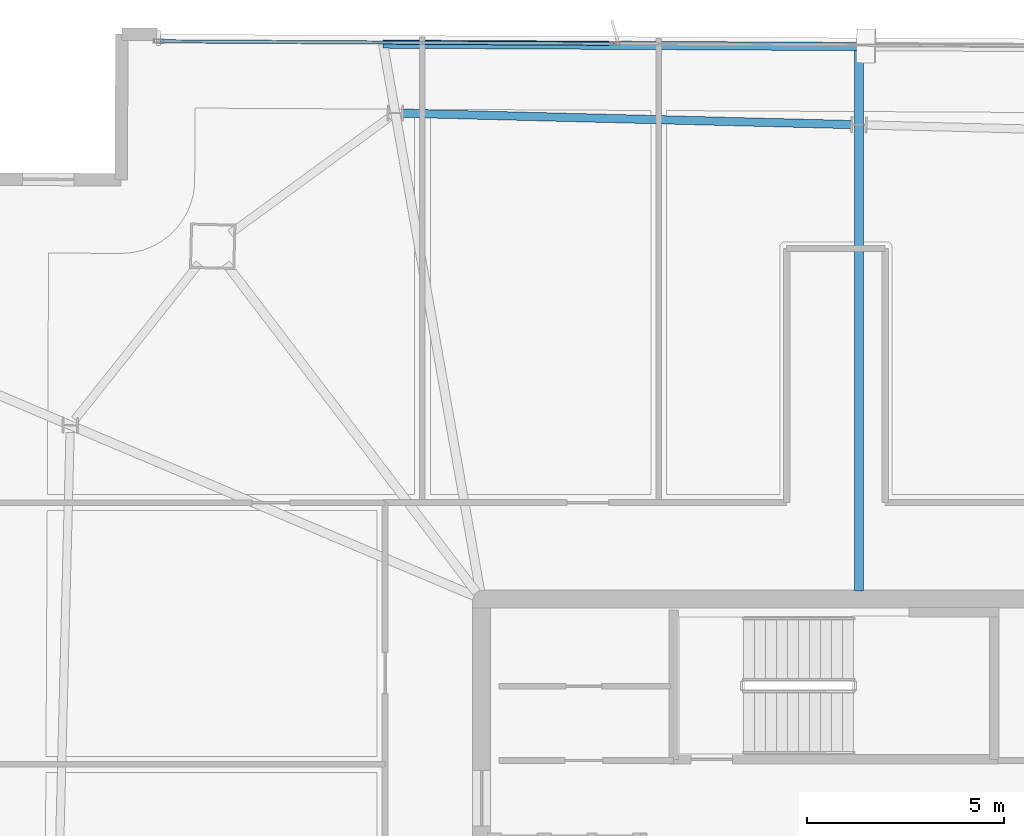
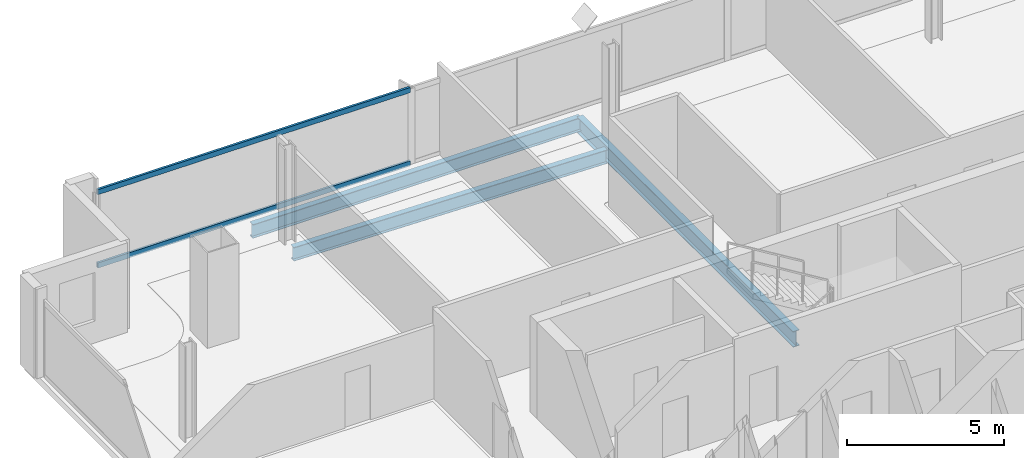
# One storey, part 14 of 24: 3 beams, 2 members, 1 element without a shape of its own.
"""IFC4 building model written with IfcOpenShell, lengths in metres."""

from ifc_helpers import new_model, si_unit, direction, frame, origin, origin_2d, place, context, subcontext, project, spatial, hollow_rectangle, i_section, extrude, material, material_profile, profile_set, type_object, element, aggregate, save


model = new_model("IFC4")

# Units and contexts
model_context = context("Model", 3, precision=1e-05, world=origin(), true_north=direction((0.0, 1.0)))
body_context = subcontext(model_context, "Body", "Model", "MODEL_VIEW")
ifc_project = project(units=[si_unit("LENGTHUNIT", "METRE"), si_unit("AREAUNIT", "SQUARE_METRE"), si_unit("VOLUMEUNIT", "CUBIC_METRE"), si_unit("PLANEANGLEUNIT", "RADIAN"), si_unit("MASSUNIT", "GRAM", prefix="KILO")], contexts=[model_context])

# Site, building, storey
site_placement = place(None, origin())
site = spatial("IfcSite", under=ifc_project, at=site_placement, CompositionType="ELEMENT")
building_placement = place(site_placement, origin())
building = spatial("IfcBuilding", under=site, at=building_placement, Name="Haldenkirk Collegiate Tower", CompositionType="ELEMENT")
storey_placement = place(building_placement, frame((0.0, 0.0, 328.949951171875)))
storey = spatial("IfcBuildingStorey", under=building, at=storey_placement, Name="L83", CompositionType="ELEMENT", Elevation=328.949951171875)

# Beams
ifc_material_1 = material(Name="Steel ASTM A992 Grade 50", Category="steel")
ifc_material_profile_1 = material_profile(ifc_material_1, i_section(OverallWidth=0.22998046875, OverallDepth=0.616943359375, WebThickness=0.01318359375, FlangeThickness=0.022216796875, at=origin_2d()), Name="W24X94")
ifc_profile_set_1 = profile_set([ifc_material_profile_1], Name="Steel ASTM A992 Grade 50")
beam_type_1 = type_object("IfcBeamType", Name="BM-GIRDER-W24X94", PredefinedType="BEAM", material=ifc_profile_set_1)
beam_1_placement = place(storey_placement, frame((36.582275390625, 48.02734375, -0.568359375), z_axis=(0.0, -1.0, 0.0), x_axis=(1.0, 0.0, 0.0)))
element("IfcBeam", 1, at=beam_1_placement, inside=storey, type_object=beam_type_1, Name="L83 primary floor girder 09", PredefinedType="BEAM", context=body_context, shape_type="SweptSolid", body=[
    extrude(i_section(OverallWidth=0.22998046875, OverallDepth=0.616943359375, WebThickness=0.01318359375, FlangeThickness=0.022216796875, at=origin_2d()), origin(), (0.0, 0.0, 1.0), 13.822265625),
])
ifc_material_profile_2 = material_profile(ifc_material_1, i_section(OverallWidth=0.2099609375, OverallDepth=0.537109375, WebThickness=0.010986328125, FlangeThickness=0.017333984375, at=origin_2d()), Name="W21X68")
ifc_profile_set_2 = profile_set([ifc_material_profile_2], Name="Steel ASTM A992 Grade 50")
beam_type_2 = type_object("IfcBeamType", Name="BM-SPANDREL-W21X68", PredefinedType="SPANDREL", material=ifc_profile_set_2)
beam_2_placement = place(storey_placement, frame((36.394287109375, 46.04638671875, -0.528564453125), z_axis=(-0.999680042221, 0.02529452876, 0.0), x_axis=(-0.02529452876, -0.999680042221, 0.0)))
element("IfcBeam", 2, at=beam_2_placement, inside=storey, type_object=beam_type_2, Name="L83 perimeter spandrel beam 07", PredefinedType="SPANDREL", context=body_context, shape_type="SweptSolid", body=[
    extrude(i_section(OverallWidth=0.2099609375, OverallDepth=0.537109375, WebThickness=0.010986328125, FlangeThickness=0.017333984375, at=origin_2d()), origin(), (0.0, 0.0, 1.0), 11.39892578125),
])
beam_3_placement = place(storey_placement, frame((36.582275390625, 48.02734375, -0.528564453125), z_axis=(-0.999986304485, 0.005233626061, 0.0), x_axis=(-0.005233626061, -0.999986304485, 0.0)))
element("IfcBeam", 3, at=beam_3_placement, inside=storey, type_object=beam_type_2, Name="L83 outer facade edge beam 2B", PredefinedType="SPANDREL", context=body_context, shape_type="SweptSolid", body=[
    extrude(i_section(OverallWidth=0.2099609375, OverallDepth=0.537109375, WebThickness=0.010986328125, FlangeThickness=0.017333984375, at=origin_2d()), origin(), (0.0, 0.0, 1.0), 12.08203125),
])

# Curtain wall, members
ifc_material_2 = material(Name="Anodised architectural bronze aluminium", Category="aluminium")
curtain_wall_type = type_object("IfcCurtainWallType", Name="CW-SYS1B-CONVEX-HI", PredefinedType="USERDEFINED", material=ifc_material_2)
curtain_wall_placement = place(storey_placement, origin())
curtain_wall = element("IfcCurtainWall", 4, at=curtain_wall_placement, inside=storey, type_object=curtain_wall_type, Name="L83 Upper tower high-wind convex bronze unitised curtain wall", ObjectType="UNITISED CURTAIN WALL", PredefinedType="USERDEFINED")
ifc_material_profile_3 = material_profile(ifc_material_2, hollow_rectangle(XDim=0.0849609375, YDim=0.199951171875, WallThickness=0.0048828125, at=origin_2d()), Name="CW-TRN-1B")
ifc_profile_set_3 = profile_set([ifc_material_profile_3], Name="Anodised architectural bronze aluminium")
member_type = type_object("IfcMemberType", Name="CW-TRN-1B", PredefinedType="USERDEFINED", material=ifc_profile_set_3)
member_1_placement = place(storey_placement, frame((18.850830078125, 48.16015625, 0.04248046875), z_axis=(0.999986245581, -0.005244868721, 0.0), x_axis=(0.005244868721, 0.999986245581, 0.0)))
member_1 = element("IfcMember", 5, at=member_1_placement, type_object=member_type, Name="CW-1B transom 1.1", ObjectType="TRANSOM", PredefinedType="USERDEFINED", context=body_context, shape_type="SweptSolid", body=[
    extrude(hollow_rectangle(XDim=0.0849609375, YDim=0.199951171875, WallThickness=0.0048828125, at=origin_2d()), origin(), (0.0, 0.0, 1.0), 11.49755859375),
])
member_2_placement = place(storey_placement, frame((18.850830078125, 48.16015625, 2.905517578125), z_axis=(0.999986245581, -0.005244868721, 0.0), x_axis=(0.005244868721, 0.999986245581, 0.0)))
member_2 = element("IfcMember", 6, at=member_2_placement, type_object=member_type, Name="CW-1B transom 1.2", ObjectType="TRANSOM", PredefinedType="USERDEFINED", context=body_context, shape_type="SweptSolid", body=[
    extrude(hollow_rectangle(XDim=0.0849609375, YDim=0.199951171875, WallThickness=0.0048828125, at=origin_2d()), origin(), (0.0, 0.0, 1.0), 11.49755859375),
])
aggregate(curtain_wall, [member_1, member_2])

save(model, "model.ifc")
